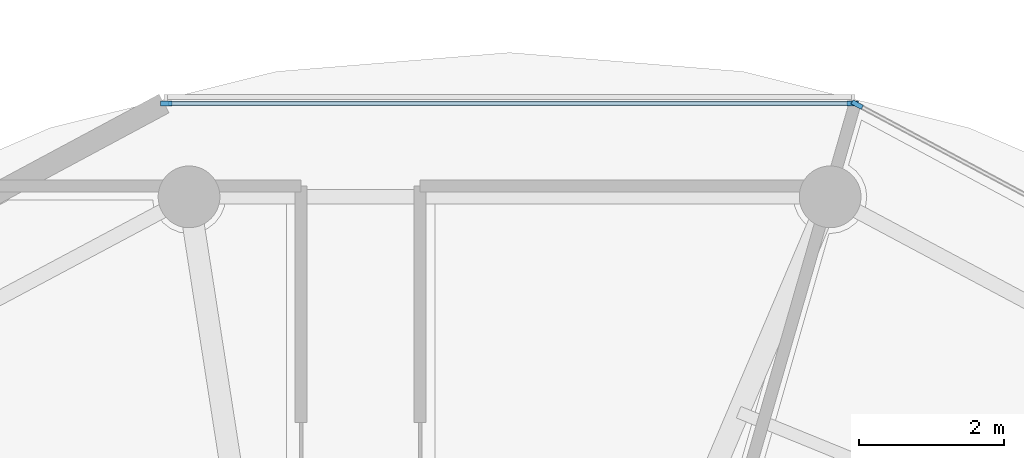
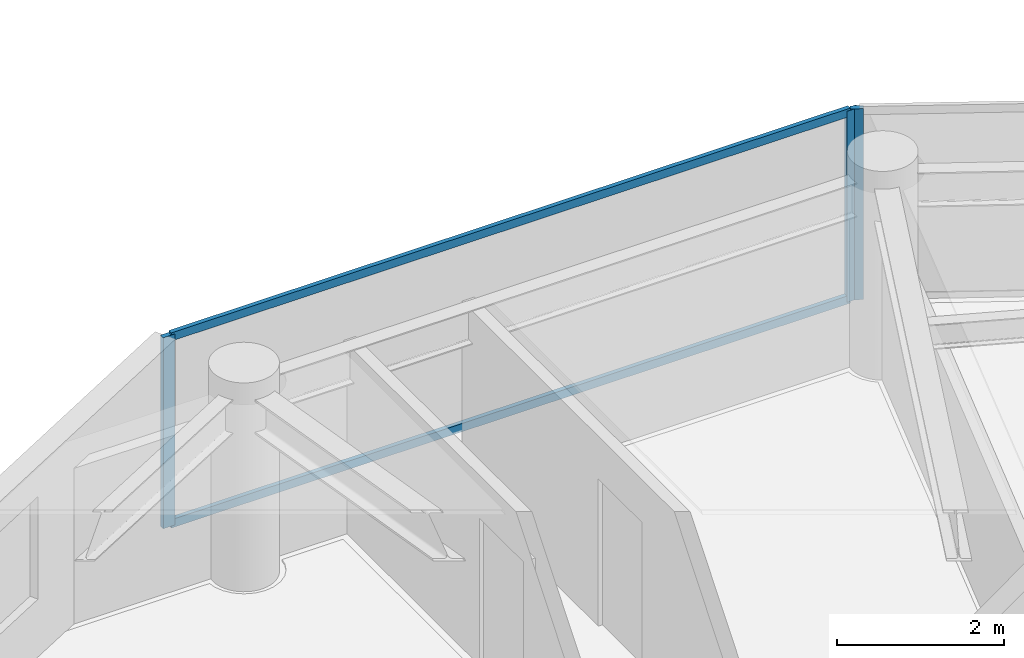
# One storey, part 9 of 25: 5 members, 2 elements without a shape of their own.
"""IFC4 building model written with IfcOpenShell, lengths in metres."""

from ifc_helpers import new_model, si_unit, direction, frame, origin, origin_2d, place, context, subcontext, project, spatial, rectangle, extrude, source, transform, mapped, material, layer, layer_set, material_profile, profile_set, type_object, type_shapes, element, aggregate, save


model = new_model("IFC4")

# Units and contexts
model_context = context("Model", 3, precision=1e-05, world=origin(), true_north=direction((0.0, 1.0)))
body_context = subcontext(model_context, "Body", "Model", "MODEL_VIEW")
ifc_project = project(units=[si_unit("LENGTHUNIT", "METRE"), si_unit("AREAUNIT", "SQUARE_METRE"), si_unit("VOLUMEUNIT", "CUBIC_METRE"), si_unit("PLANEANGLEUNIT", "RADIAN"), si_unit("MASSUNIT", "GRAM", prefix="KILO")], contexts=[model_context])

# Site, building, storey
site_placement = place(None, origin())
site = spatial("IfcSite", under=ifc_project, at=site_placement, CompositionType="ELEMENT")
building_placement = place(site_placement, origin())
building = spatial("IfcBuilding", under=site, at=building_placement, Name="Norrkilde Senior Care Towers", CompositionType="ELEMENT")
storey_placement = place(building_placement, frame((0.0, 0.0, 99.300048828125)))
storey = spatial("IfcBuildingStorey", under=building, at=storey_placement, Name="L30", CompositionType="ELEMENT", Elevation=99.300048828125)

# Curtain wall, member
ifc_material_1 = material(Name="Triple Low-E Insulated Glazing", Category="glass")
ifc_layer = layer(ifc_material_1, 0.195068359375)
ifc_layer_set = layer_set([ifc_layer], Name="Triple Low-E Insulated Glazing")
curtain_wall_type = type_object("IfcCurtainWallType", Name="CW3 Zone 2 Assisted Living Curtain Wall", PredefinedType="NOTDEFINED", material=ifc_layer_set)
curtain_wall_1_placement = place(storey_placement, origin())
curtain_wall_1 = element("IfcCurtainWall", 1, at=curtain_wall_1_placement, inside=storey, type_object=curtain_wall_type, Name="L30 Drum W Curtain Wall 01", PredefinedType="NOTDEFINED")
ifc_material_2 = material(Name="Anodised Aluminium", Category="aluminium")
ifc_material_profile_1 = material_profile(ifc_material_2, rectangle(XDim=0.06494140625, YDim=0.159912109375, at=origin_2d()), Name="ALU MULL 65x160")
ifc_profile_set_1 = profile_set([ifc_material_profile_1], Name="Anodised Aluminium")
member_type_1 = type_object("IfcMemberType", Name="Curtain Wall Mullion Z1-Z2 65x160", PredefinedType="MULLION", material=ifc_profile_set_1)
shared_shape_1 = source(origin(), body_context, "Body", "SweptSolid", [
    extrude(rectangle(XDim=0.06494140625, YDim=0.159912109375, at=origin_2d()), origin(), (0.0, 0.0, 1.0), 2.7900390625),
])
type_shapes(member_type_1, [shared_shape_1])
member_1_placement = place(storey_placement, frame((-21.164306640625, 16.482666015625, 0.0), z_axis=(0.0, 0.0, 1.0), x_axis=(0.472769402511, 0.881186184668, 0.0)))
member_1 = element("IfcMember", 2, at=member_1_placement, type_object=member_type_1, Name="CW-3 mullion 1", PredefinedType="MULLION", context=body_context, shape_type="MappedRepresentation", body=[
    mapped(shared_shape_1, transform((0.0, 0.0, 0.0), x_axis=(1.0, 0.0, 0.0), y_axis=(0.0, 1.0, 0.0), z_axis=(0.0, 0.0, 1.0), scale=1.0)),
])
aggregate(curtain_wall_1, [member_1])

# Curtain wall, members
curtain_wall_2_placement = place(storey_placement, origin())
curtain_wall_2 = element("IfcCurtainWall", 3, at=curtain_wall_2_placement, inside=storey, type_object=curtain_wall_type, Name="L30 Drum W Curtain Wall 02", PredefinedType="NOTDEFINED")
member_2_placement = place(storey_placement, frame((-30.674560546875, 16.498046875, 0.0), z_axis=(0.0, 0.0, 1.0), x_axis=(0.0, 1.0, 0.0)))
member_2 = element("IfcMember", 4, at=member_2_placement, type_object=member_type_1, Name="CW-3 mullion 1", PredefinedType="MULLION", context=body_context, shape_type="MappedRepresentation", body=[
    mapped(shared_shape_1, transform((0.0, 0.0, 0.0), x_axis=(1.0, 0.0, 0.0), y_axis=(0.0, 1.0, 0.0), z_axis=(0.0, 0.0, 1.0), scale=1.0)),
])
member_3_placement = place(storey_placement, frame((-21.225341796875, 16.498046875, 0.0), z_axis=(0.0, 0.0, 1.0), x_axis=(0.0, 1.0, 0.0)))
member_3 = element("IfcMember", 5, at=member_3_placement, type_object=member_type_1, Name="CW-3 mullion 2", PredefinedType="MULLION", context=body_context, shape_type="MappedRepresentation", body=[
    mapped(shared_shape_1, transform((0.0, 0.0, 0.0), x_axis=(1.0, 0.0, 0.0), y_axis=(0.0, 1.0, 0.0), z_axis=(0.0, 0.0, 1.0), scale=1.0)),
])
ifc_material_profile_2 = material_profile(ifc_material_2, rectangle(XDim=0.06005859375, YDim=0.1201171875, at=origin_2d()), Name="ALU TRAN 60x120")
ifc_profile_set_2 = profile_set([ifc_material_profile_2], Name="Anodised Aluminium")
member_type_2 = type_object("IfcMemberType", Name="Curtain Wall Transom Typical 60x120", PredefinedType="USERDEFINED", material=ifc_profile_set_2)
shared_shape_2 = source(origin(), body_context, "Body", "SweptSolid", [
    extrude(rectangle(XDim=0.06005859375, YDim=0.1201171875, at=origin_2d()), origin(), (0.0, 0.0, 1.0), 9.38427734375),
])
type_shapes(member_type_2, [shared_shape_2])
member_4_placement = place(storey_placement, frame((-30.64208984375, 16.498046875, 0.030029296875), z_axis=(1.0, 0.0, 0.0), x_axis=(0.0, 1.0, 0.0)))
member_4 = element("IfcMember", 6, at=member_4_placement, type_object=member_type_2, Name="CW-3 transom 1.1", ObjectType="TRANSOM", PredefinedType="USERDEFINED", context=body_context, shape_type="MappedRepresentation", body=[
    mapped(shared_shape_2, transform((0.0, 0.0, 0.0), x_axis=(1.0, 0.0, 0.0), y_axis=(0.0, 1.0, 0.0), z_axis=(0.0, 0.0, 1.0), scale=1.0)),
])
member_5_placement = place(storey_placement, frame((-30.64208984375, 16.498046875, 2.760009765625), z_axis=(1.0, 0.0, 0.0), x_axis=(0.0, 1.0, 0.0)))
member_5 = element("IfcMember", 7, at=member_5_placement, type_object=member_type_2, Name="CW-3 transom 1.2", ObjectType="TRANSOM", PredefinedType="USERDEFINED", context=body_context, shape_type="MappedRepresentation", body=[
    mapped(shared_shape_2, transform((0.0, 0.0, 0.0), x_axis=(1.0, 0.0, 0.0), y_axis=(0.0, 1.0, 0.0), z_axis=(0.0, 0.0, 1.0), scale=1.0)),
])
aggregate(curtain_wall_2, [member_2, member_3, member_4, member_5])

save(model, "model.ifc")
